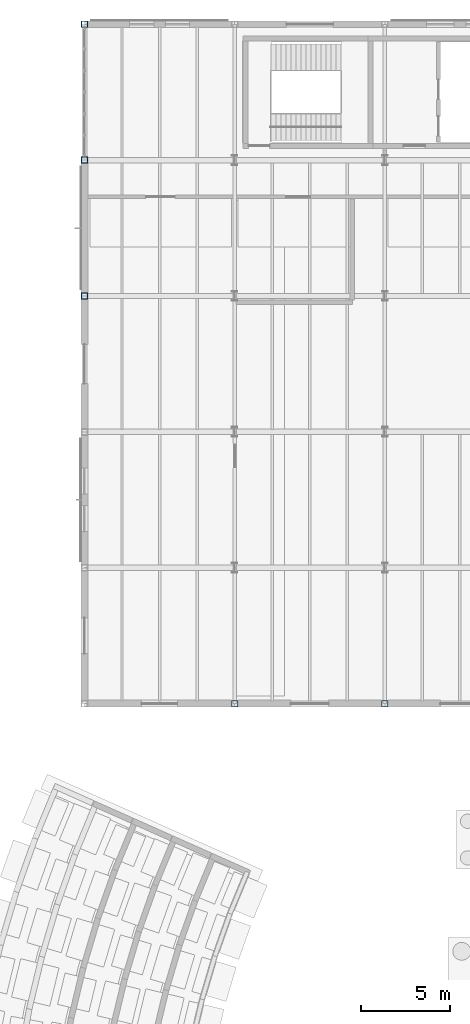
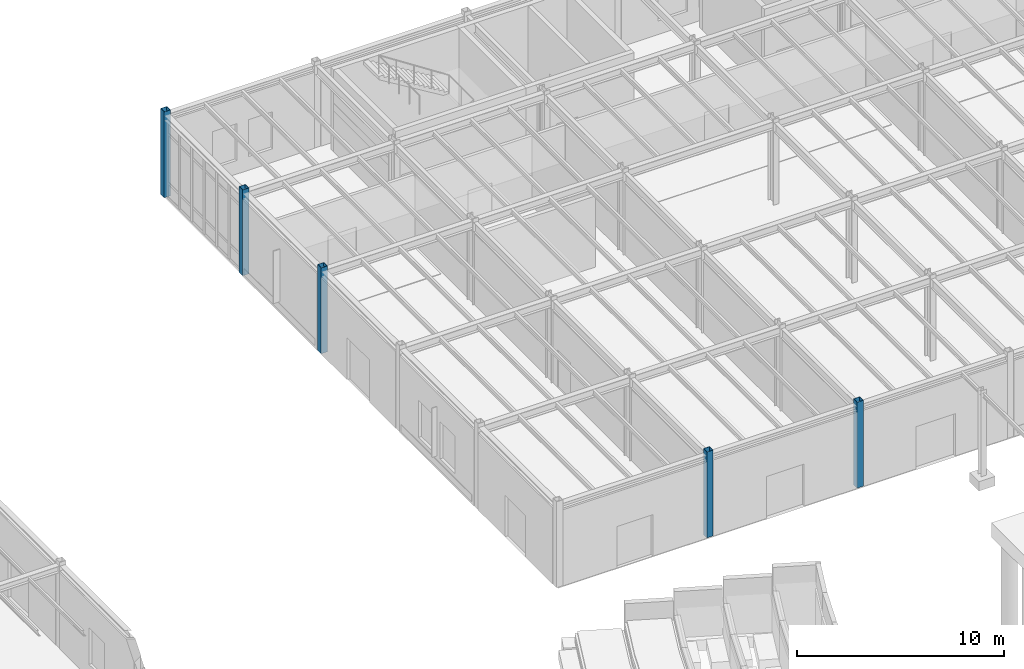
# One storey, part 16 of 109: 5 columns.
"""IFC4 building model written with IfcOpenShell, lengths in metres."""

from ifc_helpers import new_model, si_unit, direction, frame, origin, origin_2d, place, context, subcontext, project, spatial, hollow_rectangle, extrude, material, material_profile, profile_set, type_object, element, save


model = new_model("IFC4")

# Units and contexts
model_context = context("Model", 3, precision=1e-05, world=origin(), true_north=direction((0.0, 1.0)))
body_context = subcontext(model_context, "Body", "Model", "MODEL_VIEW")
ifc_project = project(units=[si_unit("LENGTHUNIT", "METRE"), si_unit("AREAUNIT", "SQUARE_METRE"), si_unit("VOLUMEUNIT", "CUBIC_METRE"), si_unit("PLANEANGLEUNIT", "RADIAN"), si_unit("MASSUNIT", "GRAM", prefix="KILO")], contexts=[model_context])

# Site, building, storey
site_placement = place(None, origin())
site = spatial("IfcSite", under=ifc_project, at=site_placement, CompositionType="ELEMENT")
building_placement = place(site_placement, origin())
building = spatial("IfcBuilding", under=site, at=building_placement, Name="Montecoro Central Library", CompositionType="ELEMENT")
storey_placement = place(building_placement, origin())
storey = spatial("IfcBuildingStorey", under=building, at=storey_placement, Name="L00", CompositionType="ELEMENT", Elevation=0.0)

# Columns
ifc_material = material(Name="Steel S355J2", Category="steel")
ifc_material_profile = material_profile(ifc_material, hollow_rectangle(XDim=0.35009765625, YDim=0.35009765625, WallThickness=0.01416015625, at=origin_2d()), Name="SHS 350x350x14.2")
ifc_profile_set = profile_set([ifc_material_profile], Name="Steel S355J2")
column_type = type_object("IfcColumnType", Name="COL-SHS350", PredefinedType="COLUMN", material=ifc_profile_set)
for number, where, z_axis, x_axis, name in (
    (1, (66.39990234375, 103.800048828125, 0.0), (0.0, 0.0, 1.0), (1.0, 0.0, 0.0), "V2-L00-COL-9-P"),
    (2, (66.39990234375, 111.39990234375, 0.0), (0.0, 0.0, 1.0), (1.0, 0.0, 0.0), "V2-L00-COL-9-Q"),
    (3, (66.39990234375, 119.0, 0.0), (0.0, 0.0, 1.0), (1.0, 0.0, 0.0), "V2-L00-COL-9-R"),
    (4, (74.800048828125, 81.0, 0.0), (0.0, 0.0, 1.0), (1.0, 0.0, 0.0), "V2-L00-COL-10-L"),
    (5, (83.199951171875, 81.0, 0.0), (0.0, 0.0, 1.0), (1.0, 0.0, 0.0), "V2-L00-COL-11-L"),
):
    element("IfcColumn", number, at=place(storey_placement, frame(where, z_axis=z_axis, x_axis=x_axis)), inside=storey, type_object=column_type, Name=name, PredefinedType="COLUMN", context=body_context, shape_type="SweptSolid", body=[
        extrude(hollow_rectangle(XDim=0.35009765625, YDim=0.35009765625, WallThickness=0.01416015625, at=origin_2d()), origin(), (0.0, 0.0, 1.0), 5.074951171875),
    ])

save(model, "model.ifc")
